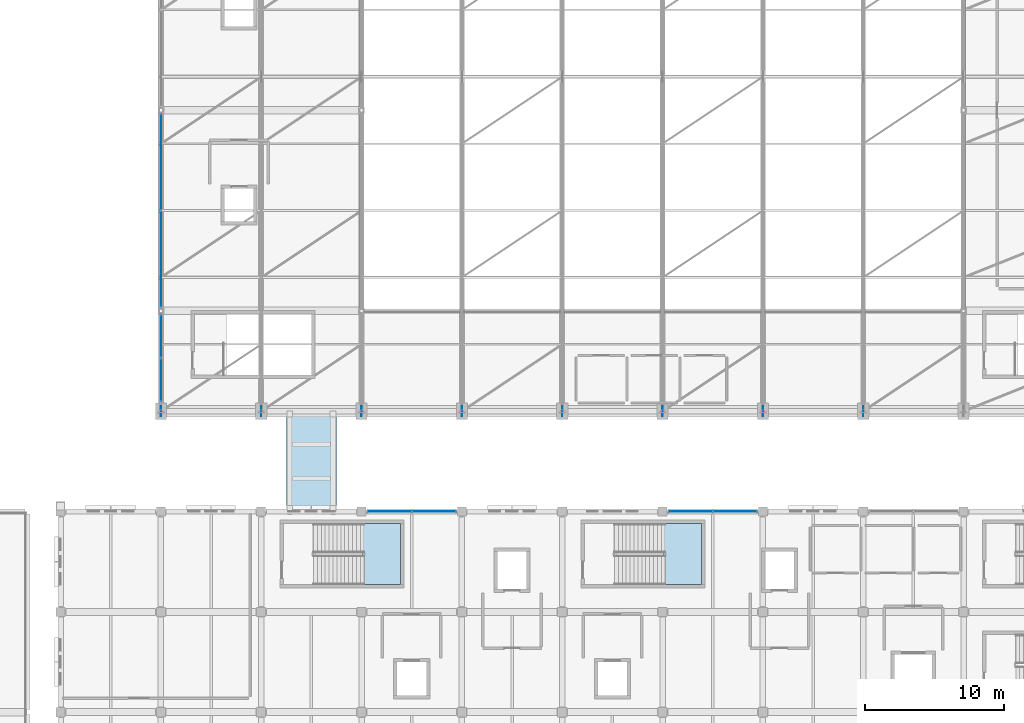
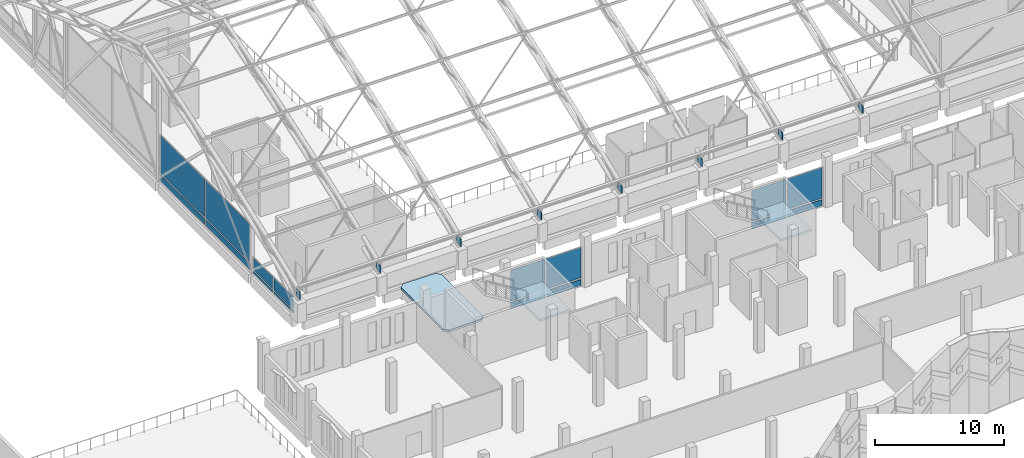
# One storey, part 64 of 116: 24 plates, 3 slabs, 6 elements without a shape of their own.
"""IFC4 building model written with IfcOpenShell, lengths in metres."""

from ifc_helpers import new_model, si_unit, direction, frame, origin, origin_2d, place, context, subcontext, project, spatial, polyline, rectangle, outline, extrude, material, layer, layer_set, type_object, element, aggregate, save


model = new_model("IFC4")

# Units and contexts
model_context = context("Model", 3, precision=1e-05, world=origin(), true_north=direction((0.0, 1.0)))
body_context = subcontext(model_context, "Body", "Model", "MODEL_VIEW")
ifc_project = project(units=[si_unit("LENGTHUNIT", "METRE"), si_unit("AREAUNIT", "SQUARE_METRE"), si_unit("VOLUMEUNIT", "CUBIC_METRE"), si_unit("PLANEANGLEUNIT", "RADIAN"), si_unit("MASSUNIT", "GRAM", prefix="KILO")], contexts=[model_context])

# Site, building, storey
site_placement = place(None, origin())
site = spatial("IfcSite", under=ifc_project, at=site_placement, CompositionType="ELEMENT")
building_placement = place(site_placement, origin())
building = spatial("IfcBuilding", under=site, at=building_placement, Name="Cendralis Lancet Convention Centre", CompositionType="ELEMENT")
storey_placement = place(building_placement, frame((0.0, 0.0, 15.0)))
storey = spatial("IfcBuildingStorey", under=building, at=storey_placement, Name="L03", CompositionType="ELEMENT", Elevation=15.0)

# Curtain wall, plates
ifc_material_1 = material(Name="Anodised bronze architectural aluminium", Category="aluminium")
curtain_wall_type_1 = type_object("IfcCurtainWallType", Name="ARC-CW-PL02", PredefinedType="USERDEFINED", material=ifc_material_1)
curtain_wall_1_placement = place(storey_placement, origin())
curtain_wall_1 = element("IfcCurtainWall", 1, at=curtain_wall_1_placement, inside=storey, type_object=curtain_wall_type_1, Name="L03 Curtain Wall CW-PL2 #136", ObjectType="CURTAIN WALL", PredefinedType="USERDEFINED")
ifc_material_2 = material(Name="Double-glazed low-E solar-control glass", Category="glass")
ifc_layer_1 = layer(ifc_material_2, 0.035888671875, Name="Double-glazed low-E solar-control glass")
ifc_layer_set_1 = layer_set([ifc_layer_1], Name="Double-glazed low-E solar-control glass")
plate_type_1 = type_object("IfcPlateType", Name="ARC-PL-GL03", PredefinedType="CURTAIN_PANEL", material=ifc_layer_set_1)
plate_1_placement = place(storey_placement, frame((139.199951171875, 45.4375, 0.43310546875), z_axis=(0.0, 0.0, 1.0), x_axis=(0.0, 1.0, 0.0)))
plate_1 = element("IfcPlate", 2, at=plate_1_placement, type_object=plate_type_1, Name="Vision Glass Panel CW2-CW-PL2-L03-136-PG0", PredefinedType="CURTAIN_PANEL", context=body_context, shape_type="SweptSolid", body=[
    extrude(rectangle(XDim=3.014892578125, YDim=0.035888671875, at=origin_2d()), origin(), (0.0, 0.0, 1.0), 1.14697265625),
])
plate_2_placement = place(storey_placement, frame((139.199951171875, 48.612548828125, 0.43310546875), z_axis=(0.0, 0.0, 1.0), x_axis=(0.0, 1.0, 0.0)))
plate_2 = element("IfcPlate", 3, at=plate_2_placement, type_object=plate_type_1, Name="Vision Glass Panel CW2-CW-PL2-L03-136-PG1", PredefinedType="CURTAIN_PANEL", context=body_context, shape_type="SweptSolid", body=[
    extrude(rectangle(XDim=3.014892578125, YDim=0.035888671875, at=origin_2d()), origin(), (0.0, 0.0, 1.0), 1.14697265625),
])

curtain_wall_2_placement = place(storey_placement, origin())
curtain_wall_2 = element("IfcCurtainWall", 4, at=curtain_wall_2_placement, inside=storey, type_object=curtain_wall_type_1, Name="L03 Curtain Wall CW-PL2 #137", ObjectType="CURTAIN WALL", PredefinedType="USERDEFINED")
plate_3_placement = place(storey_placement, frame((139.199951171875, 54.10009765625, 0.820068359375), z_axis=(0.0, 0.0, 1.0), x_axis=(0.0, 1.0, 0.0)))
plate_3 = element("IfcPlate", 5, at=plate_3_placement, type_object=plate_type_1, Name="Vision Glass Panel CW2-CW-PL2-L03-137-PG0", PredefinedType="CURTAIN_PANEL", context=body_context, shape_type="SweptSolid", body=[
    extrude(rectangle(XDim=6.840087890625, YDim=0.035888671875, at=origin_2d()), origin(), (0.0, 0.0, 1.0), 3.60693359375),
])
plate_4_placement = place(storey_placement, frame((139.199951171875, 61.10009765625, 0.820068359375), z_axis=(0.0, 0.0, 1.0), x_axis=(0.0, 1.0, 0.0)))
plate_4 = element("IfcPlate", 6, at=plate_4_placement, type_object=plate_type_1, Name="Vision Glass Panel CW2-CW-PL2-L03-137-PG1", PredefinedType="CURTAIN_PANEL", context=body_context, shape_type="SweptSolid", body=[
    extrude(rectangle(XDim=6.840087890625, YDim=0.035888671875, at=origin_2d()), origin(), (0.0, 0.0, 1.0), 3.60693359375),
])

curtain_wall_type_2 = type_object("IfcCurtainWallType", Name="ARC-CW-CL02", PredefinedType="USERDEFINED", material=ifc_material_1)
curtain_wall_3_placement = place(storey_placement, origin())
curtain_wall_3 = element("IfcCurtainWall", 7, at=curtain_wall_3_placement, inside=storey, type_object=curtain_wall_type_2, Name="L03 Curtain Wall CW-CL2 #188", ObjectType="CURTAIN WALL", PredefinedType="USERDEFINED")
plate_5_placement = place(storey_placement, frame((155.58740234375, 36.0, 0.820068359375), z_axis=(0.0, 0.0, 1.0), x_axis=(1.0, 0.0, 0.0)))
plate_5 = element("IfcPlate", 8, at=plate_5_placement, type_object=plate_type_1, Name="Vision Glass Panel CW2-CW-CL2-L03-188-PG0", PredefinedType="CURTAIN_PANEL", context=body_context, shape_type="SweptSolid", body=[
    extrude(rectangle(XDim=3.0849609375, YDim=0.035888671875, at=origin_2d()), origin(), (0.0, 0.0, 1.0), 2.89501953125),
])
plate_6_placement = place(storey_placement, frame((158.8125, 36.0, 0.820068359375), z_axis=(0.0, 0.0, 1.0), x_axis=(1.0, 0.0, 0.0)))
plate_6 = element("IfcPlate", 9, at=plate_6_placement, type_object=plate_type_1, Name="Vision Glass Panel CW2-CW-CL2-L03-188-PG1", PredefinedType="CURTAIN_PANEL", context=body_context, shape_type="SweptSolid", body=[
    extrude(rectangle(XDim=3.0849609375, YDim=0.035888671875, at=origin_2d()), origin(), (0.0, 0.0, 1.0), 2.89501953125),
])

curtain_wall_4_placement = place(storey_placement, origin())
curtain_wall_4 = element("IfcCurtainWall", 10, at=curtain_wall_4_placement, inside=storey, type_object=curtain_wall_type_2, Name="L03 Curtain Wall CW-CL2 #189", ObjectType="CURTAIN WALL", PredefinedType="USERDEFINED")
plate_7_placement = place(storey_placement, frame((177.1875, 36.0, 0.820068359375), z_axis=(0.0, 0.0, 1.0), x_axis=(1.0, 0.0, 0.0)))
plate_7 = element("IfcPlate", 11, at=plate_7_placement, type_object=plate_type_1, Name="Vision Glass Panel CW2-CW-CL2-L03-189-PG0", PredefinedType="CURTAIN_PANEL", context=body_context, shape_type="SweptSolid", body=[
    extrude(rectangle(XDim=3.0849609375, YDim=0.035888671875, at=origin_2d()), origin(), (0.0, 0.0, 1.0), 2.89501953125),
])
plate_8_placement = place(storey_placement, frame((180.41259765625, 36.0, 0.820068359375), z_axis=(0.0, 0.0, 1.0), x_axis=(1.0, 0.0, 0.0)))
plate_8 = element("IfcPlate", 12, at=plate_8_placement, type_object=plate_type_1, Name="Vision Glass Panel CW2-CW-CL2-L03-189-PG1", PredefinedType="CURTAIN_PANEL", context=body_context, shape_type="SweptSolid", body=[
    extrude(rectangle(XDim=3.0849609375, YDim=0.035888671875, at=origin_2d()), origin(), (0.0, 0.0, 1.0), 2.89501953125),
])

# Plate
ifc_material_3 = material(Name="Insulated ceramic-fritted spandrel glass", Category="glass")
ifc_layer_2 = layer(ifc_material_3, 0.044921875, Name="Insulated ceramic-fritted spandrel glass")
ifc_layer_set_2 = layer_set([ifc_layer_2], Name="Insulated ceramic-fritted spandrel glass")
plate_type_2 = type_object("IfcPlateType", Name="ARC-PL-SP01", PredefinedType="CURTAIN_PANEL", material=ifc_layer_set_2)
plate_9_placement = place(storey_placement, frame((139.199951171875, 45.4375, 0.06982421875), z_axis=(0.0, 0.0, 1.0), x_axis=(0.0, 1.0, 0.0)))
plate_9 = element("IfcPlate", 13, at=plate_9_placement, type_object=plate_type_2, Name="Spandrel Panel CW2-CW-PL2-L03-136-PS0", PredefinedType="CURTAIN_PANEL", context=body_context, shape_type="SweptSolid", body=[
    extrude(rectangle(XDim=3.014892578125, YDim=0.044921875, at=origin_2d()), origin(), (0.0, 0.0, 1.0), 0.222900390625),
])

plate_10_placement = place(storey_placement, frame((139.199951171875, 48.612548828125, 0.06982421875), z_axis=(0.0, 0.0, 1.0), x_axis=(0.0, 1.0, 0.0)))
plate_10 = element("IfcPlate", 14, at=plate_10_placement, type_object=plate_type_2, Name="Spandrel Panel CW2-CW-PL2-L03-136-PS1", PredefinedType="CURTAIN_PANEL", context=body_context, shape_type="SweptSolid", body=[
    extrude(rectangle(XDim=3.014892578125, YDim=0.044921875, at=origin_2d()), origin(), (0.0, 0.0, 1.0), 0.222900390625),
])

aggregate(curtain_wall_1, [plate_9, plate_1, plate_10, plate_2])

plate_11_placement = place(storey_placement, frame((139.199951171875, 54.10009765625, 0.06982421875), z_axis=(0.0, 0.0, 1.0), x_axis=(0.0, 1.0, 0.0)))
plate_11 = element("IfcPlate", 15, at=plate_11_placement, type_object=plate_type_2, Name="Spandrel Panel CW2-CW-PL2-L03-137-PS0", PredefinedType="CURTAIN_PANEL", context=body_context, shape_type="SweptSolid", body=[
    extrude(rectangle(XDim=6.840087890625, YDim=0.044921875, at=origin_2d()), origin(), (0.0, 0.0, 1.0), 0.610107421875),
])

plate_12_placement = place(storey_placement, frame((139.199951171875, 61.10009765625, 0.06982421875), z_axis=(0.0, 0.0, 1.0), x_axis=(0.0, 1.0, 0.0)))
plate_12 = element("IfcPlate", 16, at=plate_12_placement, type_object=plate_type_2, Name="Spandrel Panel CW2-CW-PL2-L03-137-PS1", PredefinedType="CURTAIN_PANEL", context=body_context, shape_type="SweptSolid", body=[
    extrude(rectangle(XDim=6.840087890625, YDim=0.044921875, at=origin_2d()), origin(), (0.0, 0.0, 1.0), 0.610107421875),
])

aggregate(curtain_wall_2, [plate_11, plate_3, plate_12, plate_4])

plate_13_placement = place(storey_placement, frame((155.58740234375, 36.0, 0.06982421875), z_axis=(0.0, 0.0, 1.0), x_axis=(1.0, 0.0, 0.0)))
plate_13 = element("IfcPlate", 17, at=plate_13_placement, type_object=plate_type_2, Name="Spandrel Panel CW2-CW-CL2-L03-188-PS0", PredefinedType="CURTAIN_PANEL", context=body_context, shape_type="SweptSolid", body=[
    extrude(rectangle(XDim=3.0849609375, YDim=0.044921875, at=origin_2d()), origin(), (0.0, 0.0, 1.0), 0.610107421875),
])

plate_14_placement = place(storey_placement, frame((158.8125, 36.0, 0.06982421875), z_axis=(0.0, 0.0, 1.0), x_axis=(1.0, 0.0, 0.0)))
plate_14 = element("IfcPlate", 18, at=plate_14_placement, type_object=plate_type_2, Name="Spandrel Panel CW2-CW-CL2-L03-188-PS1", PredefinedType="CURTAIN_PANEL", context=body_context, shape_type="SweptSolid", body=[
    extrude(rectangle(XDim=3.0849609375, YDim=0.044921875, at=origin_2d()), origin(), (0.0, 0.0, 1.0), 0.610107421875),
])

aggregate(curtain_wall_3, [plate_13, plate_5, plate_14, plate_6])

plate_15_placement = place(storey_placement, frame((177.1875, 36.0, 0.06982421875), z_axis=(0.0, 0.0, 1.0), x_axis=(1.0, 0.0, 0.0)))
plate_15 = element("IfcPlate", 19, at=plate_15_placement, type_object=plate_type_2, Name="Spandrel Panel CW2-CW-CL2-L03-189-PS0", PredefinedType="CURTAIN_PANEL", context=body_context, shape_type="SweptSolid", body=[
    extrude(rectangle(XDim=3.0849609375, YDim=0.044921875, at=origin_2d()), origin(), (0.0, 0.0, 1.0), 0.610107421875),
])

plate_16_placement = place(storey_placement, frame((180.41259765625, 36.0, 0.06982421875), z_axis=(0.0, 0.0, 1.0), x_axis=(1.0, 0.0, 0.0)))
plate_16 = element("IfcPlate", 20, at=plate_16_placement, type_object=plate_type_2, Name="Spandrel Panel CW2-CW-CL2-L03-189-PS1", PredefinedType="CURTAIN_PANEL", context=body_context, shape_type="SweptSolid", body=[
    extrude(rectangle(XDim=3.0849609375, YDim=0.044921875, at=origin_2d()), origin(), (0.0, 0.0, 1.0), 0.610107421875),
])

aggregate(curtain_wall_4, [plate_15, plate_7, plate_16, plate_8])

# Plates
ifc_material_4 = material(Name="Steel S355", Category="steel")
ifc_layer_3 = layer(ifc_material_4, 0.028076171875, Name="Steel S355")
ifc_layer_set_3 = layer_set([ifc_layer_3], Name="Steel S355")
plate_type_3 = type_object("IfcPlateType", Name="STR-PL-GP28", PredefinedType="USERDEFINED", material=ifc_layer_set_3)
plate_17_placement = place(storey_placement, frame((139.199951171875, 43.199951171875, 1.96484375), z_axis=(0.0, 0.0, 1.0), x_axis=(0.0, 1.0, 0.0)))
element("IfcPlate", 21, at=plate_17_placement, inside=storey, type_object=plate_type_3, Name="Truss Gusset Plate GP-28 AT-V2-01-SPR-S", ObjectType="GUSSET PLATE", PredefinedType="USERDEFINED", context=body_context, shape_type="SweptSolid", body=[
    extrude(rectangle(XDim=0.719970703125, YDim=0.028076171875, at=origin_2d()), origin(), (0.0, 0.0, 1.0), 0.719970703125),
])
ifc_layer_4 = layer(ifc_material_4, 0.028076171875, Name="Steel S355")
ifc_layer_set_4 = layer_set([ifc_layer_4], Name="Steel S355")
plate_type_4 = type_object("IfcPlateType", Name="STR-PL-GP28-INT", PredefinedType="USERDEFINED", material=ifc_layer_set_4)
for number, where, z_axis, x_axis, name in (
    (22, (146.39990234375, 43.199951171875, 1.96484375), (0.0, 0.0, 1.0), (0.0, 1.0, 0.0), "Truss Gusset Plate GP-28 AT-V2-02-SPR-S"),
    (23, (153.60009765625, 43.199951171875, 1.96484375), (0.0, 0.0, 1.0), (0.0, 1.0, 0.0), "Truss Gusset Plate GP-28 AT-V2-03-SPR-S"),
    (24, (160.800048828125, 43.199951171875, 1.96484375), (0.0, 0.0, 1.0), (0.0, 1.0, 0.0), "Truss Gusset Plate GP-28 AT-V2-04-SPR-S"),
    (25, (168.0, 43.199951171875, 1.96484375), (0.0, 0.0, 1.0), (0.0, 1.0, 0.0), "Truss Gusset Plate GP-28 AT-V2-05-SPR-S"),
    (26, (175.199951171875, 43.199951171875, 1.96484375), (0.0, 0.0, 1.0), (0.0, 1.0, 0.0), "Truss Gusset Plate GP-28 AT-V2-06-SPR-S"),
    (27, (182.39990234375, 43.199951171875, 1.96484375), (0.0, 0.0, 1.0), (0.0, 1.0, 0.0), "Truss Gusset Plate GP-28 AT-V2-07-SPR-S"),
    (28, (189.60009765625, 43.199951171875, 1.96484375), (0.0, 0.0, 1.0), (0.0, 1.0, 0.0), "Truss Gusset Plate GP-28 AT-V2-08-SPR-S"),
):
    element("IfcPlate", number, at=place(storey_placement, frame(where, z_axis=z_axis, x_axis=x_axis)), inside=storey, type_object=plate_type_4, Name=name, ObjectType="GUSSET PLATE", PredefinedType="USERDEFINED", context=body_context, shape_type="SweptSolid", body=[
        extrude(rectangle(XDim=0.719970703125, YDim=0.028076171875, at=origin_2d()), origin(), (0.0, 0.0, 1.0), 0.719970703125),
    ])

# Stair, slab
ifc_material_5 = material(Name="Concrete G35 (C35/45)", Category="concrete")
stair_type = type_object("IfcStairType", Name="ARC-ST-CORE", PredefinedType="HALF_TURN_STAIR", material=ifc_material_5)
stair_1_placement = place(storey_placement, origin())
stair_1 = element("IfcStair", 29, at=stair_1_placement, inside=storey, type_object=stair_type, Name="L03 Protected Exit Stair ST-13", PredefinedType="HALF_TURN_STAIR")
ifc_layer_5 = layer(ifc_material_5, 0.199951171875, Name="Concrete G35 (C35/45)")
ifc_layer_set_5 = layer_set([ifc_layer_5], Name="Concrete G35 (C35/45)")
slab_type_1 = type_object("IfcSlabType", Name="STR-SL-LAND", PredefinedType="LANDING", material=ifc_layer_set_5)
slab_1_placement = place(storey_placement, frame((0.0, 0.0, 2.199951171875)))
slab_1 = element("IfcSlab", 30, at=slab_1_placement, type_object=slab_type_1, Name="ST-13 landing 1", PredefinedType="LANDING", context=body_context, shape_type="SweptSolid", body=[
    extrude(outline(polyline([(153.6298828125, 30.75), (156.39990234375, 30.75), (156.39990234375, 35.1298828125), (153.6298828125, 35.1298828125), (153.6298828125, 30.75)])), origin(), (0.0, 0.0, 1.0), 0.199951171875),
])
aggregate(stair_1, [slab_1])

stair_2_placement = place(storey_placement, origin())
stair_2 = element("IfcStair", 31, at=stair_2_placement, inside=storey, type_object=stair_type, Name="L03 Protected Exit Stair ST-14", PredefinedType="HALF_TURN_STAIR")
slab_2_placement = place(storey_placement, frame((0.0, 0.0, 2.199951171875)))
slab_2 = element("IfcSlab", 32, at=slab_2_placement, type_object=slab_type_1, Name="ST-14 landing 1", PredefinedType="LANDING", context=body_context, shape_type="SweptSolid", body=[
    extrude(outline(polyline([(175.22998046875, 30.75), (178.0, 30.75), (178.0, 35.1298828125), (175.22998046875, 35.1298828125), (175.22998046875, 30.75)])), origin(), (0.0, 0.0, 1.0), 0.199951171875),
])
aggregate(stair_2, [slab_2])

# Slab
ifc_layer_6 = layer(ifc_material_5, 0.199951171875, Name="Concrete G35 (C35/45)")
ifc_layer_set_6 = layer_set([ifc_layer_6], Name="Concrete G35 (C35/45)")
slab_type_2 = type_object("IfcSlabType", Name="STR-SL-RF20", PredefinedType="ROOF", material=ifc_layer_set_6)
slab_3_placement = place(storey_placement, frame((0.0, 0.0, -0.199951171875)))
element("IfcSlab", 33, at=slab_3_placement, inside=storey, type_object=slab_type_2, Name="East Promenade Covered Passage Roof Slab L03", PredefinedType="ROOF", context=body_context, shape_type="SweptSolid", body=[
    extrude(outline(polyline([(148.550048828125, 36.0), (151.449951171875, 36.0), (151.800048828125, 36.35009765625), (151.800048828125, 42.85009765625), (151.449951171875, 43.199951171875), (148.550048828125, 43.199951171875), (148.199951171875, 42.85009765625), (148.199951171875, 36.35009765625), (148.550048828125, 36.0)])), origin(), (0.0, 0.0, 1.0), 0.199951171875),
])

save(model, "model.ifc")
